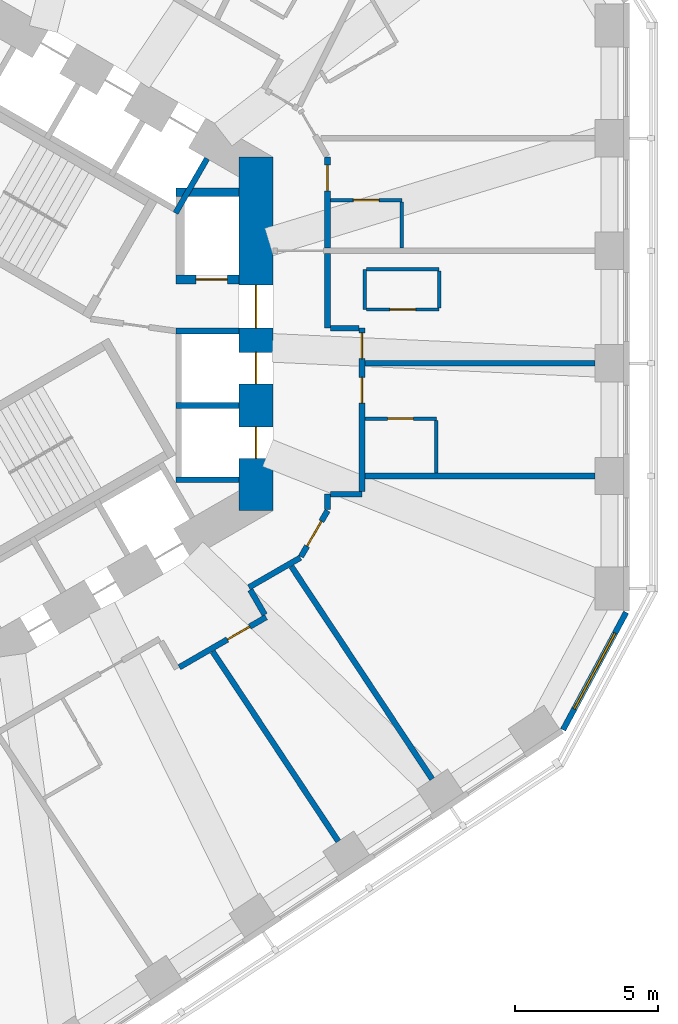
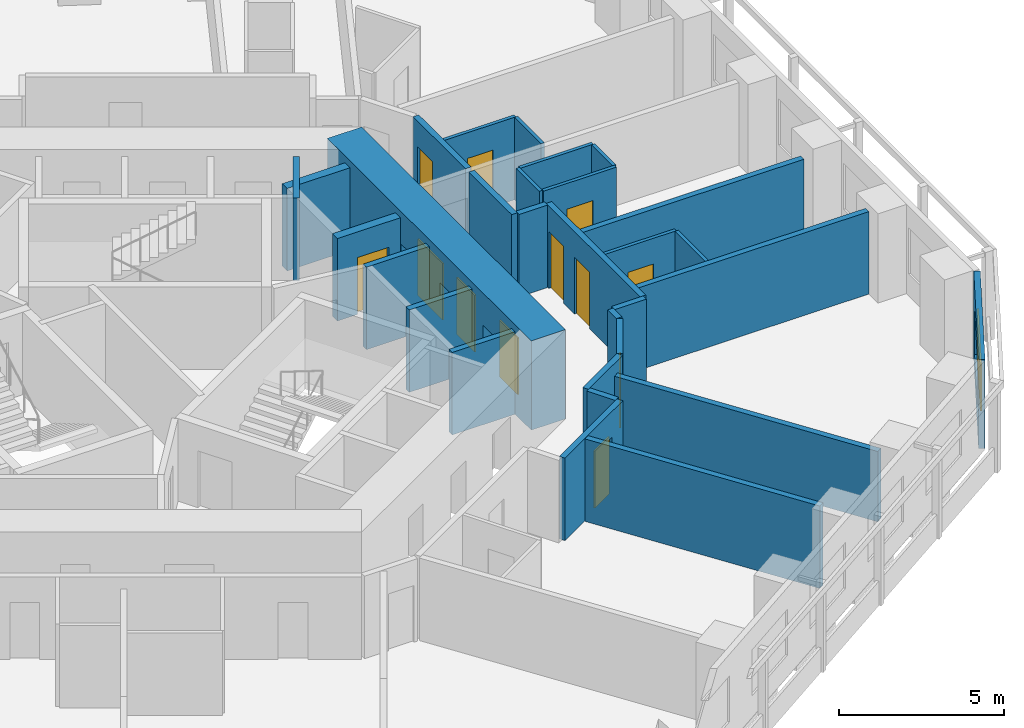
# One storey, part 6 of 12: 30 walls, 12 doors, 1 window, 13 openings.
"""IFC4 building model written with IfcOpenShell, lengths in metres."""

from ifc_helpers import new_model, si_unit, direction, frame, frame_2d, origin, place, context, subcontext, project, spatial, rectangle, extrude, material, layer, layer_set, type_object, element, fill, save


model = new_model("IFC4")

# Units and contexts
model_context = context("Model", 3, precision=1e-05, world=origin(), true_north=direction((0.0, 1.0)))
body_context = subcontext(model_context, "Body", "Model", "MODEL_VIEW")
ifc_project = project(units=[si_unit("LENGTHUNIT", "METRE"), si_unit("AREAUNIT", "SQUARE_METRE"), si_unit("VOLUMEUNIT", "CUBIC_METRE"), si_unit("PLANEANGLEUNIT", "RADIAN"), si_unit("MASSUNIT", "GRAM", prefix="KILO")], contexts=[model_context])

# Site, building, storey
site_placement = place(None, origin())
site = spatial("IfcSite", under=ifc_project, at=site_placement, CompositionType="ELEMENT")
building_placement = place(site_placement, origin())
building = spatial("IfcBuilding", under=site, at=building_placement, Name="Vanh Sen Convention Tower", CompositionType="ELEMENT")
storey_placement = place(building_placement, frame((0.0, 0.0, 47.300048828125)))
storey = spatial("IfcBuildingStorey", under=building, at=storey_placement, Name="L08", CompositionType="ELEMENT", Elevation=47.300048828125)

# Wall, opening, door
ifc_material_1 = material(Name="Moisture-resistant gypsum board on steel studs", Category="steel")
ifc_layer_1 = layer(ifc_material_1, 0.1201171875)
ifc_layer_set_1 = layer_set([ifc_layer_1], Name="Moisture-resistant gypsum board on steel studs")
wall_type_1 = type_object("IfcWallType", Name="Bathroom partition 120", PredefinedType="PARTITIONING", material=ifc_layer_set_1)
wall_1_placement = place(storey_placement, frame((12.699951171875, 4.677490234375, 0.0), z_axis=(0.0, 0.0, 1.0), x_axis=(1.0, 0.0, 0.0)))
wall_1 = element("IfcWall", 1, at=wall_1_placement, inside=storey, type_object=wall_type_1, Name="Bathroom partition 120", PredefinedType="PARTITIONING", context=body_context, shape_type="SweptSolid", body=[
    extrude(rectangle(XDim=2.5, YDim=0.1201171875, at=frame_2d((1.25, 0.0))), origin(), (0.0, 0.0, 1.0), 3.050048828125),
])
opening_1_placement = place(wall_1_placement, frame((0.800048828125, 0.0, 0.0)))
opening_1 = element("IfcOpeningElement", 2, at=opening_1_placement, cuts=wall_1, Name="Opening D07106", PredefinedType="OPENING", context=body_context, shape_type="SweptSolid", body=[
    extrude(rectangle(XDim=0.89990234375, YDim=2.10009765625, at=frame_2d((0.449951171875, 1.050048828125))), frame((0.0, 0.070068359375, 0.0), z_axis=(0.0, -1.0, 0.0), x_axis=(1.0, 0.0, 0.0)), (0.0, 0.0, 1.0), 0.14013671875),
])
ifc_material_2 = material(Name="Laminate door in steel frame", Category="steel")
door_type_1 = type_object("IfcDoorType", Name="En-suite door 900", OperationType="SINGLE_SWING_LEFT", PredefinedType="DOOR", material=ifc_material_2)
door_1_placement = place(opening_1_placement, origin())
door_1 = element("IfcDoor", 3, at=door_1_placement, inside=storey, type_object=door_type_1, Name="En-suite door D07106", OperationType="SINGLE_SWING_LEFT", OverallHeight=2.10009765625, OverallWidth=0.89990234375, PredefinedType="DOOR", context=body_context, shape_type="SweptSolid", body=[
    extrude(rectangle(XDim=0.89990234375, YDim=2.10009765625, at=frame_2d((0.449951171875, 1.050048828125))), frame((0.0, 0.02490234375, 0.0), z_axis=(0.0, -1.0, 0.0), x_axis=(1.0, 0.0, 0.0)), (0.0, 0.0, 1.0), 0.050048828125),
])
fill(opening_1, door_1)

wall_2_placement = place(storey_placement, frame((13.90087890625, -2.964599609375, 0.0), z_axis=(0.0, 0.0, 1.0), x_axis=(1.0, 0.0, 0.0)))
wall_2 = element("IfcWall", 4, at=wall_2_placement, inside=storey, type_object=wall_type_1, Name="Bathroom partition 120", PredefinedType="PARTITIONING", context=body_context, shape_type="SweptSolid", body=[
    extrude(rectangle(XDim=2.5, YDim=0.1201171875, at=frame_2d((1.25, 0.0))), origin(), (0.0, 0.0, 1.0), 3.050048828125),
])
opening_2_placement = place(wall_2_placement, frame((0.800048828125, 0.0, 0.0)))
opening_2 = element("IfcOpeningElement", 5, at=opening_2_placement, cuts=wall_2, Name="Opening D07102", PredefinedType="OPENING", context=body_context, shape_type="SweptSolid", body=[
    extrude(rectangle(XDim=0.89990234375, YDim=2.10009765625, at=frame_2d((0.449951171875, 1.050048828125))), frame((0.0, 0.070068359375, 0.0), z_axis=(0.0, -1.0, 0.0), x_axis=(1.0, 0.0, 0.0)), (0.0, 0.0, 1.0), 0.14013671875),
])
door_2_placement = place(opening_2_placement, origin())
door_2 = element("IfcDoor", 6, at=door_2_placement, inside=storey, type_object=door_type_1, Name="En-suite door D07102", OperationType="SINGLE_SWING_LEFT", OverallHeight=2.10009765625, OverallWidth=0.89990234375, PredefinedType="DOOR", context=body_context, shape_type="SweptSolid", body=[
    extrude(rectangle(XDim=0.89990234375, YDim=2.10009765625, at=frame_2d((0.449951171875, 1.050048828125))), frame((0.0, 0.02490234375, 0.0), z_axis=(0.0, -1.0, 0.0), x_axis=(1.0, 0.0, 0.0)), (0.0, 0.0, 1.0), 0.050048828125),
])
fill(opening_2, door_2)

# Walls
wall_3_placement = place(storey_placement, frame((13.89990234375, 0.852783203125, 0.0), z_axis=(0.0, 0.0, 1.0), x_axis=(0.0, 1.0, 0.0)))
element("IfcWall", 7, at=wall_3_placement, inside=storey, type_object=wall_type_1, Name="Bathroom partition 120", PredefinedType="PARTITIONING", context=body_context, shape_type="SweptSolid", body=[
    extrude(rectangle(XDim=1.39990234375, YDim=0.1201171875, at=frame_2d((0.699951171875, 0.0))), origin(), (0.0, 0.0, 1.0), 3.050048828125),
])
wall_4_placement = place(storey_placement, frame((13.9599609375, 2.252685546875, 0.0), z_axis=(0.0, 0.0, 1.0), x_axis=(1.0, 0.0, 0.0)))
element("IfcWall", 8, at=wall_4_placement, inside=storey, type_object=wall_type_1, Name="Bathroom partition 120", PredefinedType="PARTITIONING", context=body_context, shape_type="SweptSolid", body=[
    extrude(rectangle(XDim=2.5400390625, YDim=0.1201171875, at=frame_2d((1.27001953125, 0.0))), origin(), (0.0, 0.0, 1.0), 3.050048828125),
])
wall_5_placement = place(storey_placement, frame((15.199951171875, 4.61767578125, 0.0), z_axis=(0.0, 0.0, 1.0), x_axis=(0.0, -1.0, 0.0)))
element("IfcWall", 9, at=wall_5_placement, inside=storey, type_object=wall_type_1, Name="Bathroom partition 120", PredefinedType="PARTITIONING", context=body_context, shape_type="SweptSolid", body=[
    extrude(rectangle(XDim=1.61328125, YDim=0.1201171875, at=frame_2d((0.806640625, 0.0))), origin(), (0.0, 0.0, 1.0), 3.050048828125),
])
wall_6_placement = place(storey_placement, frame((16.40087890625, -3.024658203125, 0.0), z_axis=(0.0, 0.0, 1.0), x_axis=(0.0, -1.0, 0.0)))
element("IfcWall", 10, at=wall_6_placement, inside=storey, type_object=wall_type_1, Name="Bathroom partition 120", PredefinedType="PARTITIONING", context=body_context, shape_type="SweptSolid", body=[
    extrude(rectangle(XDim=1.83984375, YDim=0.1201171875, at=frame_2d((0.919921875, 0.0))), origin(), (0.0, 0.0, 1.0), 3.050048828125),
])

# Wall, opening, door
wall_7_placement = place(storey_placement, frame((16.5, 0.852783203125, 0.0), z_axis=(0.0, 0.0, 1.0), x_axis=(-1.0, 0.0, 0.0)))
wall_7 = element("IfcWall", 11, at=wall_7_placement, inside=storey, type_object=wall_type_1, Name="Bathroom partition 120", PredefinedType="PARTITIONING", context=body_context, shape_type="SweptSolid", body=[
    extrude(rectangle(XDim=2.5400390625, YDim=0.1201171875, at=frame_2d((1.27001953125, 0.0))), origin(), (0.0, 0.0, 1.0), 3.050048828125),
])
opening_3_placement = place(wall_7_placement, frame((0.820068359375, 0.0, 0.0)))
opening_3 = element("IfcOpeningElement", 12, at=opening_3_placement, cuts=wall_7, Name="Opening D07104", PredefinedType="OPENING", context=body_context, shape_type="SweptSolid", body=[
    extrude(rectangle(XDim=0.89990234375, YDim=2.10009765625, at=frame_2d((0.449951171875, 1.050048828125))), frame((0.0, 0.070068359375, 0.0), z_axis=(0.0, -1.0, 0.0), x_axis=(1.0, 0.0, 0.0)), (0.0, 0.0, 1.0), 0.14013671875),
])
door_3_placement = place(opening_3_placement, origin())
door_3 = element("IfcDoor", 13, at=door_3_placement, inside=storey, type_object=door_type_1, Name="En-suite door D07104", OperationType="SINGLE_SWING_LEFT", OverallHeight=2.10009765625, OverallWidth=0.89990234375, PredefinedType="DOOR", context=body_context, shape_type="SweptSolid", body=[
    extrude(rectangle(XDim=0.89990234375, YDim=2.10009765625, at=frame_2d((0.449951171875, 1.050048828125))), frame((0.0, 0.02490234375, 0.0), z_axis=(0.0, -1.0, 0.0), x_axis=(1.0, 0.0, 0.0)), (0.0, 0.0, 1.0), 0.050048828125),
])
fill(opening_3, door_3)

# Wall
wall_8_placement = place(storey_placement, frame((16.5, 2.19287109375, 0.0), z_axis=(0.0, 0.0, 1.0), x_axis=(0.0, -1.0, 0.0)))
element("IfcWall", 14, at=wall_8_placement, inside=storey, type_object=wall_type_1, Name="Bathroom partition 120", PredefinedType="PARTITIONING", context=body_context, shape_type="SweptSolid", body=[
    extrude(rectangle(XDim=1.280029296875, YDim=0.1201171875, at=frame_2d((0.64013671875, 0.0))), origin(), (0.0, 0.0, 1.0), 3.050048828125),
])

# Wall, openings, doors
ifc_material_3 = material(Name="Concrete C80/95", Category="concrete")
ifc_layer_2 = layer(ifc_material_3, 1.199951171875)
ifc_layer_set_2 = layer_set([ifc_layer_2], Name="Concrete C80/95")
wall_type_2 = type_object("IfcWallType", Name="Core outer wall 1200 C80/95", PredefinedType="SHEAR", material=ifc_layer_set_2)
wall_9_placement = place(storey_placement, frame((10.10009765625, -6.177490234375, 0.0), z_axis=(0.0, 0.0, 1.0), x_axis=(0.0, 1.0, 0.0)))
wall_9 = element("IfcWall", 15, at=wall_9_placement, inside=storey, type_object=wall_type_2, Name="Core wall face E L08", PredefinedType="SHEAR", context=body_context, shape_type="SweptSolid", body=[
    extrude(rectangle(XDim=12.35498046875, YDim=1.199951171875, at=frame_2d((6.177490234375, 0.0))), origin(), (0.0, 0.0, 1.0), 3.300048828125),
])
opening_4_placement = place(wall_9_placement, frame((6.377685546875, 0.0, 0.0)))
opening_4 = element("IfcOpeningElement", 16, at=opening_4_placement, cuts=wall_9, Name="Opening D07001", PredefinedType="OPENING", context=body_context, shape_type="SweptSolid", body=[
    extrude(rectangle(XDim=1.5, YDim=2.10009765625, at=frame_2d((0.75, 1.050048828125))), frame((0.0, 0.60986328125, 0.0), z_axis=(0.0, -1.0, 0.0), x_axis=(1.0, 0.0, 0.0)), (0.0, 0.0, 1.0), 1.219970703125),
])
opening_5_placement = place(wall_9_placement, frame((1.82763671875, 0.0, 0.0)))
opening_5 = element("IfcOpeningElement", 17, at=opening_5_placement, cuts=wall_9, Name="Opening LD-LR1", PredefinedType="OPENING", context=body_context, shape_type="SweptSolid", body=[
    extrude(rectangle(XDim=1.10009765625, YDim=2.10009765625, at=frame_2d((0.550048828125, 1.050048828125))), frame((0.0, 0.60986328125, 0.0), z_axis=(0.0, -1.0, 0.0), x_axis=(1.0, 0.0, 0.0)), (0.0, 0.0, 1.0), 1.219970703125),
])
opening_6_placement = place(wall_9_placement, frame((4.427490234375, 0.0, 0.0)))
opening_6 = element("IfcOpeningElement", 18, at=opening_6_placement, cuts=wall_9, Name="Opening LD-LR2", PredefinedType="OPENING", context=body_context, shape_type="SweptSolid", body=[
    extrude(rectangle(XDim=1.10009765625, YDim=2.10009765625, at=frame_2d((0.550048828125, 1.050048828125))), frame((0.0, 0.60986328125, 0.0), z_axis=(0.0, -1.0, 0.0), x_axis=(1.0, 0.0, 0.0)), (0.0, 0.0, 1.0), 1.219970703125),
])
ifc_material_4 = material(Name="Stainless steel", Category="steel")
door_type_2 = type_object("IfcDoorType", Name="Lift landing door 1100", OperationType="DOUBLE_DOOR_SLIDING", PredefinedType="DOOR", material=ifc_material_4)
door_4_placement = place(opening_5_placement, origin())
door_4 = element("IfcDoor", 19, at=door_4_placement, inside=storey, type_object=door_type_2, Name="Lift LR1 landing door LD-LR1", OperationType="DOUBLE_DOOR_SLIDING", OverallHeight=2.10009765625, OverallWidth=1.10009765625, PredefinedType="DOOR", context=body_context, shape_type="SweptSolid", body=[
    extrude(rectangle(XDim=1.10009765625, YDim=2.10009765625, at=frame_2d((0.550048828125, 1.050048828125))), frame((0.0, 0.02490234375, 0.0), z_axis=(0.0, -1.0, 0.0), x_axis=(1.0, 0.0, 0.0)), (0.0, 0.0, 1.0), 0.050048828125),
])
fill(opening_5, door_4)
door_5_placement = place(opening_6_placement, origin())
door_5 = element("IfcDoor", 20, at=door_5_placement, inside=storey, type_object=door_type_2, Name="Lift LR2 landing door LD-LR2", OperationType="DOUBLE_DOOR_SLIDING", OverallHeight=2.10009765625, OverallWidth=1.10009765625, PredefinedType="DOOR", context=body_context, shape_type="SweptSolid", body=[
    extrude(rectangle(XDim=1.10009765625, YDim=2.10009765625, at=frame_2d((0.550048828125, 1.050048828125))), frame((0.0, 0.02490234375, 0.0), z_axis=(0.0, -1.0, 0.0), x_axis=(1.0, 0.0, 0.0)), (0.0, 0.0, 1.0), 0.050048828125),
])
fill(opening_6, door_5)
ifc_material_5 = material(Name="Steel S355", Category="steel")
door_type_3 = type_object("IfcDoorType", Name="Stair lobby door 1500", OperationType="DOUBLE_DOOR_SINGLE_SWING", PredefinedType="DOOR", material=ifc_material_5)
door_6_placement = place(opening_4_placement, origin())
door_6 = element("IfcDoor", 21, at=door_6_placement, inside=storey, type_object=door_type_3, Name="Stair lobby door D07001", OperationType="DOUBLE_DOOR_SINGLE_SWING", OverallHeight=2.10009765625, OverallWidth=1.5, PredefinedType="DOOR", context=body_context, shape_type="SweptSolid", body=[
    extrude(rectangle(XDim=1.5, YDim=2.10009765625, at=frame_2d((0.75, 1.050048828125))), frame((0.0, 0.02490234375, 0.0), z_axis=(0.0, -1.0, 0.0), x_axis=(1.0, 0.0, 0.0)), (0.0, 0.0, 1.0), 0.050048828125),
])
fill(opening_4, door_6)

# Wall, opening, door
ifc_material_6 = material(Name="Gypsum board on steel studs with mineral wool", Category="steel")
ifc_layer_3 = layer(ifc_material_6, 0.199951171875)
ifc_layer_set_3 = layer_set([ifc_layer_3], Name="Gypsum board on steel studs with mineral wool")
wall_type_3 = type_object("IfcWallType", Name="Corridor partition wall 200", PredefinedType="PARTITIONING", material=ifc_layer_set_3)
wall_10_placement = place(storey_placement, frame((7.419189453125, -11.652587890625, 0.0), z_axis=(0.0, 0.0, 1.0), x_axis=(0.866038154057, 0.49997791523, 0.0)))
wall_10 = element("IfcWall", 22, at=wall_10_placement, inside=storey, type_object=wall_type_3, Name="Corridor partition wall 200", PredefinedType="PARTITIONING", context=body_context, shape_type="SweptSolid", body=[
    extrude(rectangle(XDim=3.502197265625, YDim=0.199951171875, at=frame_2d((1.7509765625, 0.0))), origin(), (0.0, 0.0, 1.0), 3.050048828125),
])
opening_7_placement = place(wall_10_placement, frame((1.939697265625, 0.0, 0.0)))
opening_7 = element("IfcOpeningElement", 23, at=opening_7_placement, cuts=wall_10, Name="Opening D07131", PredefinedType="OPENING", context=body_context, shape_type="SweptSolid", body=[
    extrude(rectangle(XDim=0.89990234375, YDim=2.10009765625, at=frame_2d((0.449951171875, 1.050048828125))), frame((0.0, 0.10986328125, 0.0), z_axis=(0.0, -1.0, 0.0), x_axis=(1.0, 0.0, 0.0)), (0.0, 0.0, 1.0), 0.219970703125),
])
ifc_material_7 = material(Name="Timber fire door in steel frame", Category="steel")
door_type_4 = type_object("IfcDoorType", Name="Floor service door 900", OperationType="SINGLE_SWING_LEFT", PredefinedType="DOOR", material=ifc_material_7)
door_7_placement = place(opening_7_placement, origin())
door_7 = element("IfcDoor", 24, at=door_7_placement, inside=storey, type_object=door_type_4, Name="Service room door D07131", OperationType="SINGLE_SWING_LEFT", OverallHeight=2.10009765625, OverallWidth=0.89990234375, PredefinedType="DOOR", context=body_context, shape_type="SweptSolid", body=[
    extrude(rectangle(XDim=0.89990234375, YDim=2.10009765625, at=frame_2d((0.449951171875, 1.050048828125))), frame((0.0, 0.02490234375, 0.0), z_axis=(0.0, -1.0, 0.0), x_axis=(1.0, 0.0, 0.0)), (0.0, 0.0, 1.0), 0.050048828125),
])
fill(opening_7, door_7)

# Walls
wall_11_placement = place(storey_placement, frame((9.8515625, -8.861328125, 0.0), z_axis=(0.0, 0.0, 1.0), x_axis=(0.866013291437, 0.500020978615, 0.0)))
element("IfcWall", 25, at=wall_11_placement, inside=storey, type_object=wall_type_3, Name="Corridor partition wall 200", PredefinedType="PARTITIONING", context=body_context, shape_type="SweptSolid", body=[
    extrude(rectangle(XDim=2.07666015625, YDim=0.199951171875, at=frame_2d((1.038330078125, 0.0))), origin(), (0.0, 0.0, 1.0), 3.050048828125),
])
wall_12_placement = place(storey_placement, frame((10.402099609375, -9.81494140625, 0.0), z_axis=(0.0, 0.0, 1.0), x_axis=(-0.499968756647, 0.866043441391, 0.0)))
element("IfcWall", 26, at=wall_12_placement, inside=storey, type_object=wall_type_3, Name="Corridor partition wall 200", PredefinedType="PARTITIONING", context=body_context, shape_type="SweptSolid", body=[
    extrude(rectangle(XDim=1.0009765625, YDim=0.199951171875, at=frame_2d((0.50048828125, 0.0))), origin(), (0.0, 0.0, 1.0), 3.050048828125),
])

# Wall, opening, door
wall_13_placement = place(storey_placement, frame((11.669921875, -7.788330078125, 0.0), z_axis=(0.0, 0.0, 1.0), x_axis=(0.500063286585, 0.865988862174, 0.0)))
wall_13 = element("IfcWall", 27, at=wall_13_placement, inside=storey, type_object=wall_type_3, Name="Corridor partition wall 200", PredefinedType="PARTITIONING", context=body_context, shape_type="SweptSolid", body=[
    extrude(rectangle(XDim=1.860107421875, YDim=0.199951171875, at=frame_2d((0.93017578125, 0.0))), origin(), (0.0, 0.0, 1.0), 3.050048828125),
])
opening_8_placement = place(wall_13_placement, frame((0.429931640625, 0.0, 0.0)))
opening_8 = element("IfcOpeningElement", 28, at=opening_8_placement, cuts=wall_13, Name="Opening D07132", PredefinedType="OPENING", context=body_context, shape_type="SweptSolid", body=[
    extrude(rectangle(XDim=1.0, YDim=2.10009765625, at=frame_2d((0.5, 1.050048828125))), frame((0.0, 0.10986328125, 0.0), z_axis=(0.0, -1.0, 0.0), x_axis=(1.0, 0.0, 0.0)), (0.0, 0.0, 1.0), 0.219970703125),
])
door_type_5 = type_object("IfcDoorType", Name="Floor room door 1000", OperationType="SINGLE_SWING_LEFT", PredefinedType="DOOR", material=ifc_material_7)
door_8_placement = place(opening_8_placement, origin())
door_8 = element("IfcDoor", 29, at=door_8_placement, inside=storey, type_object=door_type_5, Name="Meeting and amenity room door D07132", OperationType="SINGLE_SWING_LEFT", OverallHeight=2.10009765625, OverallWidth=1.0, PredefinedType="DOOR", context=body_context, shape_type="SweptSolid", body=[
    extrude(rectangle(XDim=1.0, YDim=2.10009765625, at=frame_2d((0.5, 1.050048828125))), frame((0.0, 0.02490234375, 0.0), z_axis=(0.0, -1.0, 0.0), x_axis=(1.0, 0.0, 0.0)), (0.0, 0.0, 1.0), 0.050048828125),
])
fill(opening_8, door_8)

# Walls
wall_14_placement = place(storey_placement, frame((12.60009765625, -6.1376953125, 0.0), z_axis=(0.0, 0.0, 1.0), x_axis=(0.0, 1.0, 0.0)))
element("IfcWall", 30, at=wall_14_placement, inside=storey, type_object=wall_type_3, Name="Corridor partition wall 200", PredefinedType="PARTITIONING", context=body_context, shape_type="SweptSolid", body=[
    extrude(rectangle(XDim=0.53662109375, YDim=0.199951171875, at=frame_2d((0.268310546875, 0.0))), origin(), (0.0, 0.0, 1.0), 3.050048828125),
])
wall_15_placement = place(storey_placement, frame((12.60009765625, 0.200927734375, 0.0), z_axis=(0.0, 0.0, 1.0), x_axis=(0.0, 1.0, 0.0)))
element("IfcWall", 31, at=wall_15_placement, inside=storey, type_object=wall_type_3, Name="Corridor partition wall 200", PredefinedType="PARTITIONING", context=body_context, shape_type="SweptSolid", body=[
    extrude(rectangle(XDim=2.603515625, YDim=0.199951171875, at=frame_2d((1.3017578125, 0.0))), origin(), (0.0, 0.0, 1.0), 3.050048828125),
])

# Wall, opening, door
wall_16_placement = place(storey_placement, frame((12.60009765625, 3.00439453125, 0.0), z_axis=(0.0, 0.0, 1.0), x_axis=(0.0, 1.0, 0.0)))
wall_16 = element("IfcWall", 32, at=wall_16_placement, inside=storey, type_object=wall_type_3, Name="Corridor partition wall 200", PredefinedType="PARTITIONING", context=body_context, shape_type="SweptSolid", body=[
    extrude(rectangle(XDim=3.173095703125, YDim=0.199951171875, at=frame_2d((1.58642578125, 0.0))), origin(), (0.0, 0.0, 1.0), 3.050048828125),
])
opening_9_placement = place(wall_16_placement, frame((1.998046875, 0.0, 0.0)))
opening_9 = element("IfcOpeningElement", 33, at=opening_9_placement, cuts=wall_16, Name="Opening D07105", PredefinedType="OPENING", context=body_context, shape_type="SweptSolid", body=[
    extrude(rectangle(XDim=0.89990234375, YDim=2.10009765625, at=frame_2d((0.449951171875, 1.050048828125))), frame((0.0, 0.10986328125, 0.0), z_axis=(0.0, -1.0, 0.0), x_axis=(1.0, 0.0, 0.0)), (0.0, 0.0, 1.0), 0.219970703125),
])
door_type_6 = type_object("IfcDoorType", Name="Guest room door 900", OperationType="SINGLE_SWING_LEFT", PredefinedType="DOOR", material=ifc_material_7)
door_9_placement = place(opening_9_placement, origin())
door_9 = element("IfcDoor", 34, at=door_9_placement, inside=storey, type_object=door_type_6, Name="Hotel guest room door D07105", OperationType="SINGLE_SWING_LEFT", OverallHeight=2.10009765625, OverallWidth=0.89990234375, PredefinedType="DOOR", context=body_context, shape_type="SweptSolid", body=[
    extrude(rectangle(XDim=0.89990234375, YDim=2.10009765625, at=frame_2d((0.449951171875, 1.050048828125))), frame((0.0, 0.02490234375, 0.0), z_axis=(0.0, -1.0, 0.0), x_axis=(1.0, 0.0, 0.0)), (0.0, 0.0, 1.0), 0.050048828125),
])
fill(opening_9, door_9)

# Walls
wall_17_placement = place(storey_placement, frame((12.699951171875, -5.60107421875, 0.0), z_axis=(0.0, 0.0, 1.0), x_axis=(1.0, 0.0, 0.0)))
element("IfcWall", 35, at=wall_17_placement, inside=storey, type_object=wall_type_3, Name="Corridor partition wall 200", PredefinedType="PARTITIONING", context=body_context, shape_type="SweptSolid", body=[
    extrude(rectangle(XDim=1.10107421875, YDim=0.199951171875, at=frame_2d((0.550537109375, 0.0))), origin(), (0.0, 0.0, 1.0), 3.050048828125),
])
wall_18_placement = place(storey_placement, frame((13.700927734375, 0.200927734375, 0.0), z_axis=(0.0, 0.0, 1.0), x_axis=(-1.0, 0.0, 0.0)))
element("IfcWall", 36, at=wall_18_placement, inside=storey, type_object=wall_type_3, Name="Corridor partition wall 200", PredefinedType="PARTITIONING", context=body_context, shape_type="SweptSolid", body=[
    extrude(rectangle(XDim=1.0009765625, YDim=0.199951171875, at=frame_2d((0.50048828125, 0.0))), origin(), (0.0, 0.0, 1.0), 3.050048828125),
])

# Wall, openings, doors
wall_19_placement = place(storey_placement, frame((13.801025390625, -5.5009765625, 0.0), z_axis=(0.0, 0.0, 1.0), x_axis=(0.0, 1.0, 0.0)))
wall_19 = element("IfcWall", 37, at=wall_19_placement, inside=storey, type_object=wall_type_3, Name="Corridor partition wall 200", PredefinedType="PARTITIONING", context=body_context, shape_type="SweptSolid", body=[
    extrude(rectangle(XDim=5.701904296875, YDim=0.199951171875, at=frame_2d((2.85107421875, 0.0))), origin(), (0.0, 0.0, 1.0), 3.050048828125),
])
opening_10_placement = place(wall_19_placement, frame((3.07861328125, 0.0, 0.0)))
opening_10 = element("IfcOpeningElement", 38, at=opening_10_placement, cuts=wall_19, Name="Opening D07101", PredefinedType="OPENING", context=body_context, shape_type="SweptSolid", body=[
    extrude(rectangle(XDim=0.89990234375, YDim=2.10009765625, at=frame_2d((0.449951171875, 1.050048828125))), frame((0.0, 0.10986328125, 0.0), z_axis=(0.0, -1.0, 0.0), x_axis=(1.0, 0.0, 0.0)), (0.0, 0.0, 1.0), 0.219970703125),
])
opening_11_placement = place(wall_19_placement, frame((4.636474609375, 0.0, 0.0)))
opening_11 = element("IfcOpeningElement", 39, at=opening_11_placement, cuts=wall_19, Name="Opening D07103", PredefinedType="OPENING", context=body_context, shape_type="SweptSolid", body=[
    extrude(rectangle(XDim=0.89990234375, YDim=2.10009765625, at=frame_2d((0.449951171875, 1.050048828125))), frame((0.0, 0.10986328125, 0.0), z_axis=(0.0, -1.0, 0.0), x_axis=(1.0, 0.0, 0.0)), (0.0, 0.0, 1.0), 0.219970703125),
])
door_10_placement = place(opening_10_placement, origin())
door_10 = element("IfcDoor", 40, at=door_10_placement, inside=storey, type_object=door_type_6, Name="Hotel guest room door D07101", OperationType="SINGLE_SWING_LEFT", OverallHeight=2.10009765625, OverallWidth=0.89990234375, PredefinedType="DOOR", context=body_context, shape_type="SweptSolid", body=[
    extrude(rectangle(XDim=0.89990234375, YDim=2.10009765625, at=frame_2d((0.449951171875, 1.050048828125))), frame((0.0, 0.02490234375, 0.0), z_axis=(0.0, -1.0, 0.0), x_axis=(1.0, 0.0, 0.0)), (0.0, 0.0, 1.0), 0.050048828125),
])
fill(opening_10, door_10)
door_11_placement = place(opening_11_placement, origin())
door_11 = element("IfcDoor", 41, at=door_11_placement, inside=storey, type_object=door_type_6, Name="Hotel guest room door D07103", OperationType="SINGLE_SWING_LEFT", OverallHeight=2.10009765625, OverallWidth=0.89990234375, PredefinedType="DOOR", context=body_context, shape_type="SweptSolid", body=[
    extrude(rectangle(XDim=0.89990234375, YDim=2.10009765625, at=frame_2d((0.449951171875, 1.050048828125))), frame((0.0, 0.02490234375, 0.0), z_axis=(0.0, -1.0, 0.0), x_axis=(1.0, 0.0, 0.0)), (0.0, 0.0, 1.0), 0.050048828125),
])
fill(opening_11, door_11)

# Wall, opening, window
ifc_material_8 = material(Name="Insulated lightweight infill wall")
ifc_layer_4 = layer(ifc_material_8, 0.199951171875)
ifc_layer_set_4 = layer_set([ifc_layer_4], Name="Insulated lightweight infill wall")
wall_type_4 = type_object("IfcWallType", Name="External wall 200", PredefinedType="STANDARD", material=ifc_layer_set_4)
wall_20_placement = place(storey_placement, frame((20.83251953125, -13.838623046875, 0.0), z_axis=(0.0, 0.0, 1.0), x_axis=(0.473321668581, 0.880889662813, 0.0)))
wall_20 = element("IfcWall", 42, at=wall_20_placement, inside=storey, type_object=wall_type_4, Name="External wall CH6 L08", PredefinedType="STANDARD", context=body_context, shape_type="SweptSolid", body=[
    extrude(rectangle(XDim=4.65966796875, YDim=0.199951171875, at=frame_2d((2.329833984375, 0.0))), origin(), (0.0, 0.0, 1.0), 3.300048828125),
])
opening_12_placement = place(wall_20_placement, frame((0.829833984375, 0.0, 0.800048828125)))
opening_12 = element("IfcOpeningElement", 43, at=opening_12_placement, cuts=wall_20, Name="Opening WH2-CH61", PredefinedType="OPENING", context=body_context, shape_type="SweptSolid", body=[
    extrude(rectangle(XDim=3.0, YDim=1.699951171875, at=frame_2d((1.5, 0.85009765625))), frame((0.0, 0.10986328125, 0.0), z_axis=(0.0, -1.0, 0.0), x_axis=(1.0, 0.0, 0.0)), (0.0, 0.0, 1.0), 0.219970703125),
])
ifc_material_9 = material(Name="Aluminium frame with clear low-emissivity glass", Category="aluminium")
window_type = type_object("IfcWindowType", Name="Hotel window 3000 x 1700", PartitioningType="SINGLE_PANEL", PredefinedType="WINDOW", material=ifc_material_9)
window_placement = place(opening_12_placement, origin())
window = element("IfcWindow", 44, at=window_placement, inside=storey, type_object=window_type, Name="Window WH2-CH61", OverallHeight=1.699951171875, OverallWidth=3.0, PartitioningType="SINGLE_PANEL", PredefinedType="WINDOW", context=body_context, shape_type="SweptSolid", body=[
    extrude(rectangle(XDim=3.0, YDim=1.699951171875, at=frame_2d((1.5, 0.85009765625))), frame((0.0, 0.030029296875, 0.0), z_axis=(0.0, -1.0, 0.0), x_axis=(1.0, 0.0, 0.0)), (0.0, 0.0, 1.0), 0.06005859375),
])
fill(opening_12, window)

# Wall, opening, door
ifc_material_10 = material(Name="Concrete C60/75", Category="concrete")
ifc_layer_5 = layer(ifc_material_10, 0.300048828125)
ifc_layer_set_5 = layer_set([ifc_layer_5], Name="Concrete C60/75")
wall_type_5 = type_object("IfcWallType", Name="Fire-fighting lift shaft wall 300", PredefinedType="SHEAR", material=ifc_layer_set_5)
wall_21_placement = place(storey_placement, frame((7.300048828125, 1.89990234375, 0.0), z_axis=(0.0, 0.0, 1.0), x_axis=(1.0, 0.0, 0.0)))
wall_21 = element("IfcWall", 45, at=wall_21_placement, inside=storey, type_object=wall_type_5, Name="Fire-fighting lift shaft wall L08", PredefinedType="SHEAR", context=body_context, shape_type="SweptSolid", body=[
    extrude(rectangle(XDim=2.199951171875, YDim=0.300048828125, at=frame_2d((1.10009765625, 0.0))), origin(), (0.0, 0.0, 1.0), 3.050048828125),
])
opening_13_placement = place(wall_21_placement, frame((0.699951171875, 0.0, 0.0)))
opening_13 = element("IfcOpeningElement", 46, at=opening_13_placement, cuts=wall_21, Name="Opening LD-FF1", PredefinedType="OPENING", context=body_context, shape_type="SweptSolid", body=[
    extrude(rectangle(XDim=1.10009765625, YDim=2.10009765625, at=frame_2d((0.550048828125, 1.050048828125))), frame((0.0, 0.159912109375, 0.0), z_axis=(0.0, -1.0, 0.0), x_axis=(1.0, 0.0, 0.0)), (0.0, 0.0, 1.0), 0.320068359375),
])
door_type_7 = type_object("IfcDoorType", Name="Fire-fighting lift landing door 1100", OperationType="DOUBLE_DOOR_SLIDING", PredefinedType="DOOR", material=ifc_material_4)
door_12_placement = place(opening_13_placement, origin())
door_12 = element("IfcDoor", 47, at=door_12_placement, inside=storey, type_object=door_type_7, Name="Lift FF1 landing door LD-FF1", OperationType="DOUBLE_DOOR_SLIDING", OverallHeight=2.10009765625, OverallWidth=1.10009765625, PredefinedType="DOOR", context=body_context, shape_type="SweptSolid", body=[
    extrude(rectangle(XDim=1.10009765625, YDim=2.10009765625, at=frame_2d((0.550048828125, 1.050048828125))), frame((0.0, 0.02490234375, 0.0), z_axis=(0.0, -1.0, 0.0), x_axis=(1.0, 0.0, 0.0)), (0.0, 0.0, 1.0), 0.050048828125),
])
fill(opening_13, door_12)

# Walls
wall_22_placement = place(storey_placement, frame((7.300048828125, 4.949951171875, 0.0), z_axis=(0.0, 0.0, 1.0), x_axis=(1.0, 0.0, 0.0)))
element("IfcWall", 48, at=wall_22_placement, inside=storey, type_object=wall_type_5, Name="Fire-fighting lift shaft wall L08", PredefinedType="SHEAR", context=body_context, shape_type="SweptSolid", body=[
    extrude(rectangle(XDim=2.199951171875, YDim=0.300048828125, at=frame_2d((1.10009765625, 0.0))), origin(), (0.0, 0.0, 1.0), 3.050048828125),
])
ifc_layer_6 = layer(ifc_material_6, 0.199951171875)
ifc_layer_set_6 = layer_set([ifc_layer_6], Name="Gypsum board on steel studs with mineral wool")
wall_type_6 = type_object("IfcWallType", Name="Hotel party wall 200", PredefinedType="PARTITIONING", material=ifc_layer_set_6)
wall_23_placement = place(storey_placement, frame((12.973876953125, -17.7353515625, 0.0), z_axis=(0.0, 0.0, 1.0), x_axis=(-0.55192625685, 0.833892922982, 0.0)))
element("IfcWall", 49, at=wall_23_placement, inside=storey, type_object=wall_type_6, Name="Hotel party wall 200", PredefinedType="PARTITIONING", context=body_context, shape_type="SweptSolid", body=[
    extrude(rectangle(XDim=7.9501953125, YDim=0.199951171875, at=frame_2d((3.97509765625, 0.0))), origin(), (0.0, 0.0, 1.0), 3.050048828125),
])
wall_24_placement = place(storey_placement, frame((13.90087890625, -4.964599609375, 0.0), z_axis=(0.0, 0.0, 1.0), x_axis=(1.0, 0.0, 0.0)))
element("IfcWall", 50, at=wall_24_placement, inside=storey, type_object=wall_type_6, Name="Hotel party wall 200", PredefinedType="PARTITIONING", context=body_context, shape_type="SweptSolid", body=[
    extrude(rectangle(XDim=8.049072265625, YDim=0.199951171875, at=frame_2d((4.0244140625, 0.0))), origin(), (0.0, 0.0, 1.0), 3.050048828125),
])
wall_25_placement = place(storey_placement, frame((16.2548828125, -15.563720703125, 0.0), z_axis=(0.0, 0.0, 1.0), x_axis=(-0.55192208744, 0.833895682562, 0.0)))
element("IfcWall", 51, at=wall_25_placement, inside=storey, type_object=wall_type_6, Name="Hotel party wall 200", PredefinedType="PARTITIONING", context=body_context, shape_type="SweptSolid", body=[
    extrude(rectangle(XDim=8.912841796875, YDim=0.199951171875, at=frame_2d((4.45654296875, 0.0))), origin(), (0.0, 0.0, 1.0), 2.599853515625),
])
wall_26_placement = place(storey_placement, frame((21.949951171875, -1.030029296875, 0.0), z_axis=(0.0, 0.0, 1.0), x_axis=(-1.0, 0.0, 0.0)))
element("IfcWall", 52, at=wall_26_placement, inside=storey, type_object=wall_type_6, Name="Hotel party wall 200", PredefinedType="PARTITIONING", context=body_context, shape_type="SweptSolid", body=[
    extrude(rectangle(XDim=8.049072265625, YDim=0.199951171875, at=frame_2d((4.0244140625, 0.0))), origin(), (0.0, 0.0, 1.0), 2.599853515625),
])
ifc_material_11 = material(Name="Concrete C40/50", Category="concrete")
ifc_layer_7 = layer(ifc_material_11, 0.199951171875)
ifc_layer_set_7 = layer_set([ifc_layer_7], Name="Concrete C40/50")
wall_type_7 = type_object("IfcWallType", Name="Lift shaft wall 200", PredefinedType="PARTITIONING", material=ifc_layer_set_7)
for number, where, z_axis, x_axis, name in (
    (53, (7.300048828125, -5.10009765625, 0.0), (0.0, 0.0, 1.0), (1.0, 0.0, 0.0), "Lift shaft wall L08"),
    (54, (7.300048828125, -2.5, 0.0), (0.0, 0.0, 1.0), (1.0, 0.0, 0.0), "Lift shaft wall L08"),
    (55, (7.300048828125, 0.10009765625, 0.0), (0.0, 0.0, 1.0), (1.0, 0.0, 0.0), "Lift shaft wall L08"),
    (56, (7.287353515625, 4.221923828125, 0.0), (0.0, 0.0, 1.0), (0.499946605688, 0.86605622881, 0.0), "Lift shaft wall L08"),
):
    element("IfcWall", number, at=place(storey_placement, frame(where, z_axis=z_axis, x_axis=x_axis)), inside=storey, type_object=wall_type_7, Name=name, PredefinedType="PARTITIONING", context=body_context, shape_type="SweptSolid", body=[
        extrude(rectangle(XDim=2.199951171875, YDim=0.199951171875, at=frame_2d((1.10009765625, 0.0))), origin(), (0.0, 0.0, 1.0), 3.050048828125),
    ])

save(model, "model.ifc")
